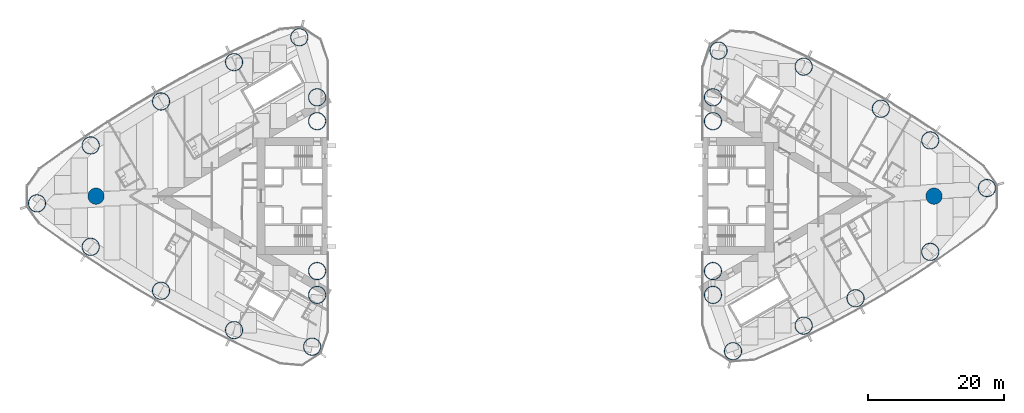
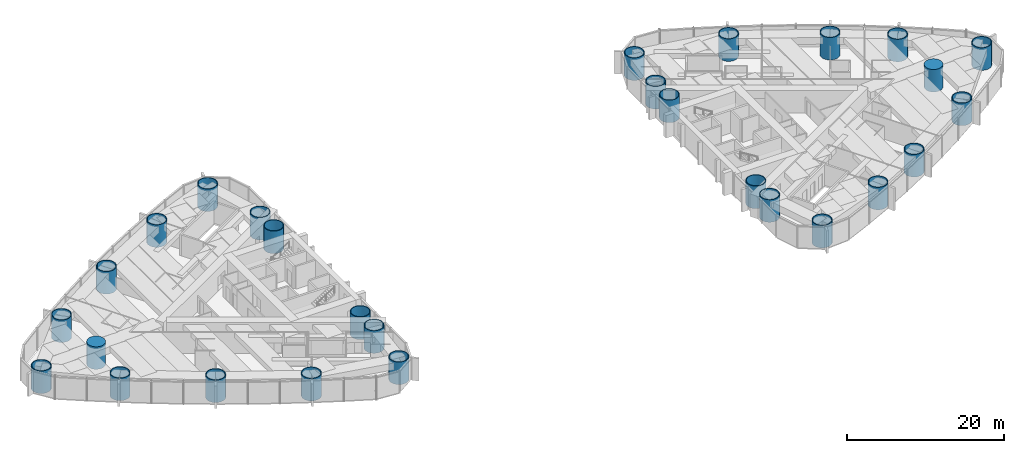
# One storey, part 1 of 18: 28 columns.
"""IFC4 building model written with IfcOpenShell, lengths in metres."""

from ifc_helpers import new_model, si_unit, direction, frame, origin, origin_2d, place, context, subcontext, project, spatial, circle, hollow_circle, extrude, material, material_profile, profile_set, type_object, element, save


model = new_model("IFC4")

# Units and contexts
model_context = context("Model", 3, precision=1e-05, world=origin(), true_north=direction((0.0, 1.0)))
body_context = subcontext(model_context, "Body", "Model", "MODEL_VIEW")
ifc_project = project(units=[si_unit("LENGTHUNIT", "METRE"), si_unit("AREAUNIT", "SQUARE_METRE"), si_unit("VOLUMEUNIT", "CUBIC_METRE"), si_unit("PLANEANGLEUNIT", "RADIAN"), si_unit("MASSUNIT", "GRAM", prefix="KILO")], contexts=[model_context])

# Site, building, storey
site_placement = place(None, origin())
site = spatial("IfcSite", under=ifc_project, at=site_placement, CompositionType="ELEMENT")
building_placement = place(site_placement, origin())
building = spatial("IfcBuilding", under=site, at=building_placement, Name="Lancet Gate Hotel", CompositionType="ELEMENT")
storey_placement = place(building_placement, frame((0.0, 0.0, 125.60009765625)))
storey = spatial("IfcBuildingStorey", under=building, at=storey_placement, Name="L33", CompositionType="ELEMENT", Elevation=125.60009765625)

# Columns
ifc_material_1 = material(Name="Concrete C80/95", Category="concrete")
ifc_material_profile_1 = material_profile(ifc_material_1, circle(Radius=1.199951171875, at=origin_2d()), Name="RC D2400")
ifc_profile_set_1 = profile_set([ifc_material_profile_1], Name="Concrete C80/95")
column_type_1 = type_object("IfcColumnType", Name="Apex column RC D2400", PredefinedType="COLUMN", material=ifc_profile_set_1)
for number, where, z_axis, x_axis, name in (
    (1, (-61.5, 0.0, 0.0), (0.0, 0.0, 1.0), (1.0, 0.0, 0.0), "T1 column AX L33"),
    (2, (61.5, 0.0, 0.0), (0.0, 0.0, 1.0), (1.0, 0.0, 0.0), "T2 column AX L33"),
):
    element("IfcColumn", number, at=place(storey_placement, frame(where, z_axis=z_axis, x_axis=x_axis)), inside=storey, type_object=column_type_1, Name=name, PredefinedType="COLUMN", context=body_context, shape_type="SweptSolid", body=[
        extrude(circle(Radius=1.199951171875, at=origin_2d()), origin(), (0.0, 0.0, 1.0), 3.5),
    ])
ifc_material_2 = material(Name="Composite filled tube, grade 460 plate, grade 80/95 fill", Category="composite")
ifc_material_profile_2 = material_profile(ifc_material_2, hollow_circle(Radius=1.300048828125, WallThickness=0.10009765625, at=origin_2d()), Name="CHS 2600x100")
ifc_profile_set_2 = profile_set([ifc_material_profile_2], Name="Composite filled tube, grade 460 plate, grade 80/95 fill")
column_type_2 = type_object("IfcColumnType", Name="Apex corner column CFT CHS 2600x100", PredefinedType="COLUMN", material=ifc_profile_set_2)
for number, where, z_axis, x_axis, name in (
    (3, (-70.16796875, -1.06005859375, 0.0), (0.0, 0.0, 1.0), (1.0, 0.0, 0.0), "T1 column CA L33"),
    (4, (69.268798828125, 1.1865234375, 0.0), (0.0, 0.0, 1.0), (1.0, 0.0, 0.0), "T2 column CA L33"),
):
    element("IfcColumn", number, at=place(storey_placement, frame(where, z_axis=z_axis, x_axis=x_axis)), inside=storey, type_object=column_type_2, Name=name, PredefinedType="COLUMN", context=body_context, shape_type="SweptSolid", body=[
        extrude(hollow_circle(Radius=1.300048828125, WallThickness=0.10009765625, at=origin_2d()), origin(), (0.0, 0.0, 1.0), 3.5),
    ])
ifc_material_3 = material(Name="Composite filled tube, grade 460 plate, grade 80/95 fill", Category="composite")
ifc_material_profile_3 = material_profile(ifc_material_3, hollow_circle(Radius=1.300048828125, WallThickness=0.10009765625, at=origin_2d()), Name="CHS 2600x100")
ifc_profile_set_3 = profile_set([ifc_material_profile_3], Name="Composite filled tube, grade 460 plate, grade 80/95 fill")
column_type_3 = type_object("IfcColumnType", Name="Perimeter column CFT CHS 2600x100", PredefinedType="COLUMN", material=ifc_profile_set_3)
for number, where, z_axis, x_axis, name in (
    (5, (-29.781005859375, -22.0947265625, 0.0), (0.0, 0.0, 1.0), (1.0, 0.0, 0.0), "T1 column CN L33"),
    (6, (-31.66455078125, 23.318359375, 0.0), (0.0, 0.0, 1.0), (1.0, 0.0, 0.0), "T1 column CS L33"),
    (7, (-29.050048828125, -11.0, 0.0), (0.0, 0.0, 1.0), (1.0, 0.0, 0.0), "T1 column IN L33"),
    (8, (-29.050048828125, 11.0, 0.0), (0.0, 0.0, 1.0), (1.0, 0.0, 0.0), "T1 column IS L33"),
    (9, (-29.050048828125, 14.5, 0.0), (0.0, 0.0, 1.0), (1.0, 0.0, 0.0), "T1 column IT L33"),
    (10, (-29.050048828125, -14.5, 0.0), (0.0, 0.0, 1.0), (1.0, 0.0, 0.0), "T1 column JT L33"),
    (11, (-62.28662109375, -7.444580078125, 0.0), (0.0, 0.0, 1.0), (1.0, 0.0, 0.0), "T1 column ON1 L33"),
    (12, (-51.963134765625, -13.89501953125, 0.0), (0.0, 0.0, 1.0), (1.0, 0.0, 0.0), "T1 column ON2 L33"),
    (13, (-41.244873046875, -19.665771484375, 0.0), (0.0, 0.0, 1.0), (1.0, 0.0, 0.0), "T1 column ON3 L33"),
    (14, (-41.244873046875, 19.665771484375, 0.0), (0.0, 0.0, 1.0), (1.0, 0.0, 0.0), "T1 column OS1 L33"),
    (15, (-51.963134765625, 13.89501953125, 0.0), (0.0, 0.0, 1.0), (1.0, 0.0, 0.0), "T1 column OS2 L33"),
    (16, (-62.28662109375, 7.444580078125, 0.0), (0.0, 0.0, 1.0), (1.0, 0.0, 0.0), "T1 column OS3 L33"),
    (17, (29.8720703125, 21.35498046875, 0.0), (0.0, 0.0, 1.0), (1.0, 0.0, 0.0), "T2 column CN L33"),
    (18, (31.99609375, -22.76318359375, 0.0), (0.0, 0.0, 1.0), (1.0, 0.0, 0.0), "T2 column CS L33"),
    (19, (29.050048828125, 11.0, 0.0), (0.0, 0.0, 1.0), (1.0, 0.0, 0.0), "T2 column IN L33"),
    (20, (29.050048828125, -11.0, 0.0), (0.0, 0.0, 1.0), (1.0, 0.0, 0.0), "T2 column IS L33"),
    (21, (29.050048828125, -14.5, 0.0), (0.0, 0.0, 1.0), (1.0, 0.0, 0.0), "T2 column IT L33"),
    (22, (29.050048828125, 14.5, 0.0), (0.0, 0.0, 1.0), (1.0, 0.0, 0.0), "T2 column JT L33"),
    (23, (60.940673828125, 8.18115234375, 0.0), (0.0, 0.0, 1.0), (1.0, 0.0, 0.0), "T2 column ON1 L33"),
    (24, (53.697021484375, 12.827392578125, 0.0), (0.0, 0.0, 1.0), (1.0, 0.0, 0.0), "T2 column ON2 L33"),
    (25, (42.3662109375, 19.007080078125, 0.0), (0.0, 0.0, 1.0), (1.0, 0.0, 0.0), "T2 column ON3 L33"),
    (26, (42.3662109375, -19.007080078125, 0.0), (0.0, 0.0, 1.0), (1.0, 0.0, 0.0), "T2 column OS1 L33"),
    (27, (49.97900390625, -14.994384765625, 0.0), (0.0, 0.0, 1.0), (1.0, 0.0, 0.0), "T2 column OS2 L33"),
    (28, (60.940673828125, -8.18115234375, 0.0), (0.0, 0.0, 1.0), (1.0, 0.0, 0.0), "T2 column OS3 L33"),
):
    element("IfcColumn", number, at=place(storey_placement, frame(where, z_axis=z_axis, x_axis=x_axis)), inside=storey, type_object=column_type_3, Name=name, PredefinedType="COLUMN", context=body_context, shape_type="SweptSolid", body=[
        extrude(hollow_circle(Radius=1.300048828125, WallThickness=0.10009765625, at=origin_2d()), origin(), (0.0, 0.0, 1.0), 3.5),
    ])

save(model, "model.ifc")
